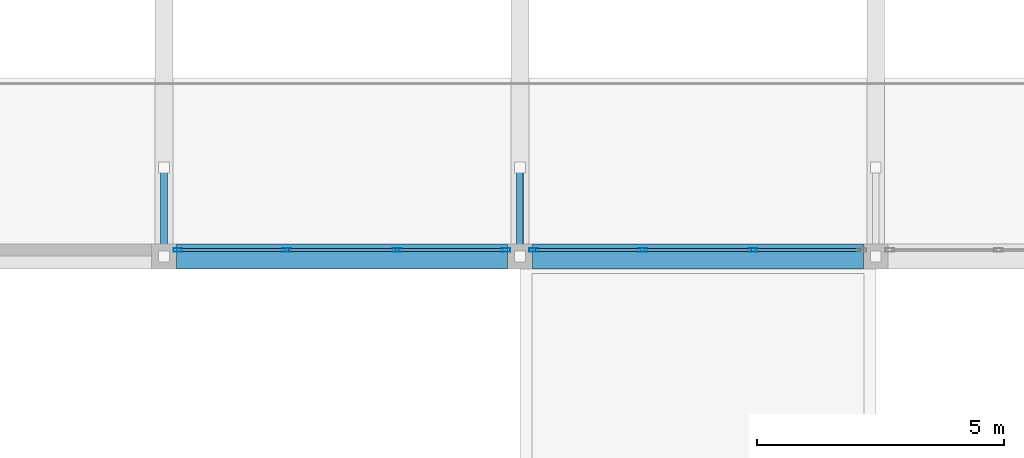
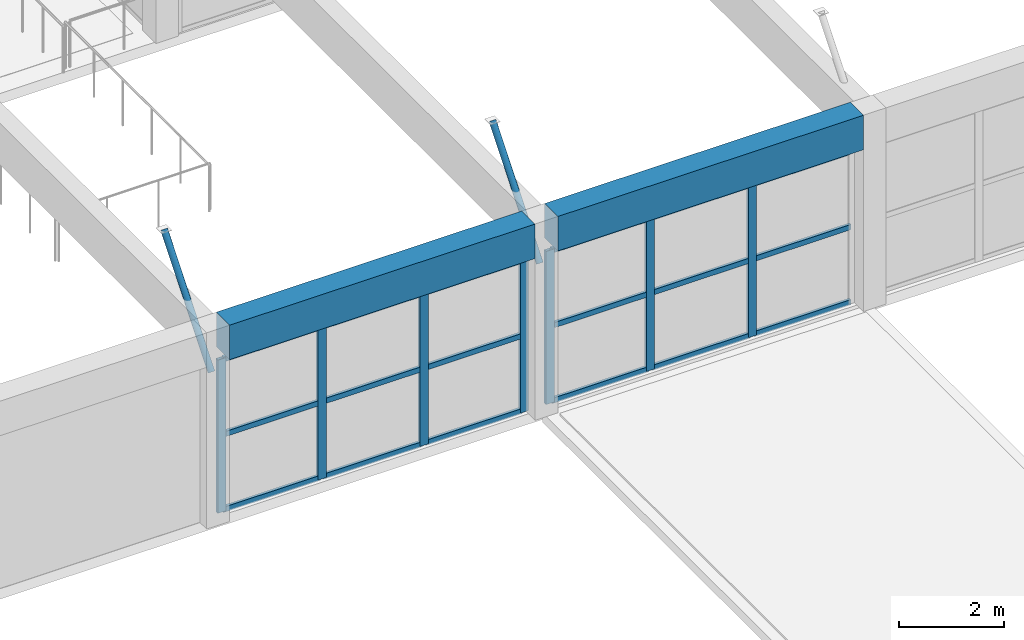
# One storey, part 22 of 153: 27 members, 2 beams, 2 elements without a shape of their own.
"""IFC4 building model written with IfcOpenShell, lengths in metres."""

from ifc_helpers import new_model, si_unit, direction, frame, origin, origin_2d, place, context, subcontext, project, spatial, rectangle, hollow_rectangle, hollow_circle, extrude, material, material_profile, profile_set, type_object, element, aggregate, save


model = new_model("IFC4")

# Units and contexts
model_context = context("Model", 3, precision=1e-05, world=origin(), true_north=direction((0.0, 1.0)))
body_context = subcontext(model_context, "Body", "Model", "MODEL_VIEW")
ifc_project = project(units=[si_unit("LENGTHUNIT", "METRE"), si_unit("AREAUNIT", "SQUARE_METRE"), si_unit("VOLUMEUNIT", "CUBIC_METRE"), si_unit("PLANEANGLEUNIT", "RADIAN"), si_unit("MASSUNIT", "GRAM", prefix="KILO")], contexts=[model_context])

# Site, building, storey
site_placement = place(None, origin())
site = spatial("IfcSite", under=ifc_project, at=site_placement, CompositionType="ELEMENT")
building_placement = place(site_placement, origin())
building = spatial("IfcBuilding", under=site, at=building_placement, Name="Bramvelor Terrace Health Centre", CompositionType="ELEMENT")
storey_placement = place(building_placement, frame((0.0, 0.0, 4.800048828125)))
storey = spatial("IfcBuildingStorey", under=building, at=storey_placement, Name="L02", CompositionType="ELEMENT", Elevation=4.800048828125)

# Beams
ifc_material_1 = material(Name="Concrete C40/50", Category="concrete")
ifc_material_profile_1 = material_profile(ifc_material_1, rectangle(XDim=0.5, YDim=0.800048828125, at=origin_2d()), Name="RC 500x800")
ifc_profile_set_1 = profile_set([ifc_material_profile_1], Name="Concrete C40/50")
beam_type = type_object("IfcBeamType", Name="BM-RC-G800", PredefinedType="BEAM", material=ifc_profile_set_1)
beam_1_placement = place(storey_placement, frame((50.64990234375, 36.0, 4.14990234375), z_axis=(1.0, 0.0, 0.0), x_axis=(0.0, 1.0, 0.0)))
element("IfcBeam", 1, at=beam_1_placement, inside=storey, type_object=beam_type, Name="L02 Floor Girder", PredefinedType="BEAM", context=body_context, shape_type="SweptSolid", body=[
    extrude(rectangle(XDim=0.5, YDim=0.800048828125, at=origin_2d()), origin(), (0.0, 0.0, 1.0), 6.7001953125),
])
beam_2_placement = place(storey_placement, frame((57.85009765625, 36.0, 4.14990234375), z_axis=(1.0, 0.0, 0.0), x_axis=(0.0, 1.0, 0.0)))
element("IfcBeam", 2, at=beam_2_placement, inside=storey, type_object=beam_type, Name="L02 Floor Girder", PredefinedType="BEAM", context=body_context, shape_type="SweptSolid", body=[
    extrude(rectangle(XDim=0.5, YDim=0.800048828125, at=origin_2d()), origin(), (0.0, 0.0, 1.0), 6.699951171875),
])

# Curtain wall, members
ifc_material_2 = material(Name="Anodized aluminium and double low-E glass", Category="aluminium")
curtain_wall_type = type_object("IfcCurtainWallType", Name="CW-SYS-20", PredefinedType="NOTDEFINED", material=ifc_material_2)
curtain_wall_1_placement = place(storey_placement, origin())
curtain_wall_1 = element("IfcCurtainWall", 3, at=curtain_wall_1_placement, inside=storey, type_object=curtain_wall_type, Name="L02 Unitized Curtain Wall 121", PredefinedType="NOTDEFINED")
ifc_material_3 = material(Name="Anodized aluminium 6063-T6", Category="aluminium")
ifc_material_profile_2 = material_profile(ifc_material_3, hollow_rectangle(XDim=0.074951171875, YDim=0.179931640625, WallThickness=0.00341796875, at=origin_2d()), Name="ALU-MUL 75x180x3.5")
ifc_profile_set_2 = profile_set([ifc_material_profile_2], Name="Anodized aluminium 6063-T6")
member_type_1 = type_object("IfcMemberType", Name="CW-MUL-65x180", PredefinedType="MULLION", material=ifc_profile_set_2)
member_1_placement = place(storey_placement, frame((62.318359375, 36.1298828125, 0.0), z_axis=(0.0, 0.0, 1.0), x_axis=(0.0, -1.0, 0.0)))
member_1 = element("IfcMember", 4, at=member_1_placement, type_object=member_type_1, Name="CW-20 mullion 2", PredefinedType="MULLION", context=body_context, shape_type="SweptSolid", body=[
    extrude(hollow_rectangle(XDim=0.074951171875, YDim=0.179931640625, WallThickness=0.00341796875, at=origin_2d()), origin(), (0.0, 0.0, 1.0), 3.550048828125),
])
member_2_placement = place(storey_placement, frame((60.081787109375, 36.1298828125, 0.0), z_axis=(0.0, 0.0, 1.0), x_axis=(0.0, -1.0, 0.0)))
member_2 = element("IfcMember", 5, at=member_2_placement, type_object=member_type_1, Name="CW-20 mullion 3", PredefinedType="MULLION", context=body_context, shape_type="SweptSolid", body=[
    extrude(hollow_rectangle(XDim=0.074951171875, YDim=0.179931640625, WallThickness=0.00341796875, at=origin_2d()), origin(), (0.0, 0.0, 1.0), 3.550048828125),
])
member_3_placement = place(storey_placement, frame((57.882568359375, 36.1298828125, 0.0), z_axis=(0.0, 0.0, 1.0), x_axis=(0.0, -1.0, 0.0)))
member_3 = element("IfcMember", 6, at=member_3_placement, type_object=member_type_1, Name="CW-20 mullion 4", PredefinedType="MULLION", context=body_context, shape_type="SweptSolid", body=[
    extrude(hollow_rectangle(XDim=0.074951171875, YDim=0.179931640625, WallThickness=0.00341796875, at=origin_2d()), origin(), (0.0, 0.0, 1.0), 3.550048828125),
])

curtain_wall_2_placement = place(storey_placement, origin())
curtain_wall_2 = element("IfcCurtainWall", 7, at=curtain_wall_2_placement, inside=storey, type_object=curtain_wall_type, Name="L02 Unitized Curtain Wall 122", PredefinedType="NOTDEFINED")
member_4_placement = place(storey_placement, frame((57.3173828125, 36.1298828125, 0.0), z_axis=(0.0, 0.0, 1.0), x_axis=(0.0, -1.0, 0.0)))
member_4 = element("IfcMember", 8, at=member_4_placement, type_object=member_type_1, Name="CW-20 mullion 1", PredefinedType="MULLION", context=body_context, shape_type="SweptSolid", body=[
    extrude(hollow_rectangle(XDim=0.074951171875, YDim=0.179931640625, WallThickness=0.00341796875, at=origin_2d()), origin(), (0.0, 0.0, 1.0), 3.550048828125),
])
member_5_placement = place(storey_placement, frame((55.118408203125, 36.1298828125, 0.0), z_axis=(0.0, 0.0, 1.0), x_axis=(0.0, -1.0, 0.0)))
member_5 = element("IfcMember", 9, at=member_5_placement, type_object=member_type_1, Name="CW-20 mullion 2", PredefinedType="MULLION", context=body_context, shape_type="SweptSolid", body=[
    extrude(hollow_rectangle(XDim=0.074951171875, YDim=0.179931640625, WallThickness=0.00341796875, at=origin_2d()), origin(), (0.0, 0.0, 1.0), 3.550048828125),
])
member_6_placement = place(storey_placement, frame((52.881591796875, 36.1298828125, 0.0), z_axis=(0.0, 0.0, 1.0), x_axis=(0.0, -1.0, 0.0)))
member_6 = element("IfcMember", 10, at=member_6_placement, type_object=member_type_1, Name="CW-20 mullion 3", PredefinedType="MULLION", context=body_context, shape_type="SweptSolid", body=[
    extrude(hollow_rectangle(XDim=0.074951171875, YDim=0.179931640625, WallThickness=0.00341796875, at=origin_2d()), origin(), (0.0, 0.0, 1.0), 3.550048828125),
])
member_7_placement = place(storey_placement, frame((50.6826171875, 36.1298828125, 0.0), z_axis=(0.0, 0.0, 1.0), x_axis=(0.0, -1.0, 0.0)))
member_7 = element("IfcMember", 11, at=member_7_placement, type_object=member_type_1, Name="CW-20 mullion 4", PredefinedType="MULLION", context=body_context, shape_type="SweptSolid", body=[
    extrude(hollow_rectangle(XDim=0.074951171875, YDim=0.179931640625, WallThickness=0.00341796875, at=origin_2d()), origin(), (0.0, 0.0, 1.0), 3.550048828125),
])

# Member
ifc_material_4 = material(Name="Anodized aluminium 6063-T6", Category="aluminium")
ifc_material_profile_3 = material_profile(ifc_material_4, hollow_rectangle(XDim=0.06494140625, YDim=0.1201171875, WallThickness=0.0029296875, at=origin_2d()), Name="ALU-TRN 65x120x3.0")
ifc_profile_set_3 = profile_set([ifc_material_profile_3], Name="Anodized aluminium 6063-T6")
member_type_2 = type_object("IfcMemberType", Name="CW-TRN-65x150", PredefinedType="USERDEFINED", material=ifc_profile_set_3)
member_8_placement = place(storey_placement, frame((64.47998046875, 36.1298828125, 0.032470703125), z_axis=(-1.0, 0.0, 0.0), x_axis=(0.0, -1.0, 0.0)))
member_8 = element("IfcMember", 12, at=member_8_placement, type_object=member_type_2, Name="CW-20 transom 1.1", ObjectType="TRANSOM", PredefinedType="USERDEFINED", context=body_context, shape_type="SweptSolid", body=[
    extrude(hollow_rectangle(XDim=0.06494140625, YDim=0.1201171875, WallThickness=0.0029296875, at=origin_2d()), origin(), (0.0, 0.0, 1.0), 2.124267578125),
])

member_9_placement = place(storey_placement, frame((64.47998046875, 36.1298828125, 1.77490234375), z_axis=(-1.0, 0.0, 0.0), x_axis=(0.0, -1.0, 0.0)))
member_9 = element("IfcMember", 13, at=member_9_placement, type_object=member_type_2, Name="CW-20 transom 1.2", ObjectType="TRANSOM", PredefinedType="USERDEFINED", context=body_context, shape_type="SweptSolid", body=[
    extrude(hollow_rectangle(XDim=0.06494140625, YDim=0.1201171875, WallThickness=0.0029296875, at=origin_2d()), origin(), (0.0, 0.0, 1.0), 2.124267578125),
])

member_10_placement = place(storey_placement, frame((64.47998046875, 36.1298828125, 3.517333984375), z_axis=(-1.0, 0.0, 0.0), x_axis=(0.0, -1.0, 0.0)))
member_10 = element("IfcMember", 14, at=member_10_placement, type_object=member_type_2, Name="CW-20 transom 1.3", ObjectType="TRANSOM", PredefinedType="USERDEFINED", context=body_context, shape_type="SweptSolid", body=[
    extrude(hollow_rectangle(XDim=0.06494140625, YDim=0.1201171875, WallThickness=0.0029296875, at=origin_2d()), origin(), (0.0, 0.0, 1.0), 2.124267578125),
])

member_11_placement = place(storey_placement, frame((62.28076171875, 36.1298828125, 0.032470703125), z_axis=(-1.0, 0.0, 0.0), x_axis=(0.0, -1.0, 0.0)))
member_11 = element("IfcMember", 15, at=member_11_placement, type_object=member_type_2, Name="CW-20 transom 2.1", ObjectType="TRANSOM", PredefinedType="USERDEFINED", context=body_context, shape_type="SweptSolid", body=[
    extrude(hollow_rectangle(XDim=0.06494140625, YDim=0.1201171875, WallThickness=0.0029296875, at=origin_2d()), origin(), (0.0, 0.0, 1.0), 2.16162109375),
])

member_12_placement = place(storey_placement, frame((62.28076171875, 36.1298828125, 1.77490234375), z_axis=(-1.0, 0.0, 0.0), x_axis=(0.0, -1.0, 0.0)))
member_12 = element("IfcMember", 16, at=member_12_placement, type_object=member_type_2, Name="CW-20 transom 2.2", ObjectType="TRANSOM", PredefinedType="USERDEFINED", context=body_context, shape_type="SweptSolid", body=[
    extrude(hollow_rectangle(XDim=0.06494140625, YDim=0.1201171875, WallThickness=0.0029296875, at=origin_2d()), origin(), (0.0, 0.0, 1.0), 2.16162109375),
])

member_13_placement = place(storey_placement, frame((62.28076171875, 36.1298828125, 3.517333984375), z_axis=(-1.0, 0.0, 0.0), x_axis=(0.0, -1.0, 0.0)))
member_13 = element("IfcMember", 17, at=member_13_placement, type_object=member_type_2, Name="CW-20 transom 2.3", ObjectType="TRANSOM", PredefinedType="USERDEFINED", context=body_context, shape_type="SweptSolid", body=[
    extrude(hollow_rectangle(XDim=0.06494140625, YDim=0.1201171875, WallThickness=0.0029296875, at=origin_2d()), origin(), (0.0, 0.0, 1.0), 2.16162109375),
])

member_14_placement = place(storey_placement, frame((60.044189453125, 36.1298828125, 0.032470703125), z_axis=(-1.0, 0.0, 0.0), x_axis=(0.0, -1.0, 0.0)))
member_14 = element("IfcMember", 18, at=member_14_placement, type_object=member_type_2, Name="CW-20 transom 3.1", ObjectType="TRANSOM", PredefinedType="USERDEFINED", context=body_context, shape_type="SweptSolid", body=[
    extrude(hollow_rectangle(XDim=0.06494140625, YDim=0.1201171875, WallThickness=0.0029296875, at=origin_2d()), origin(), (0.0, 0.0, 1.0), 2.124267578125),
])

member_15_placement = place(storey_placement, frame((60.044189453125, 36.1298828125, 1.77490234375), z_axis=(-1.0, 0.0, 0.0), x_axis=(0.0, -1.0, 0.0)))
member_15 = element("IfcMember", 19, at=member_15_placement, type_object=member_type_2, Name="CW-20 transom 3.2", ObjectType="TRANSOM", PredefinedType="USERDEFINED", context=body_context, shape_type="SweptSolid", body=[
    extrude(hollow_rectangle(XDim=0.06494140625, YDim=0.1201171875, WallThickness=0.0029296875, at=origin_2d()), origin(), (0.0, 0.0, 1.0), 2.124267578125),
])

member_16_placement = place(storey_placement, frame((60.044189453125, 36.1298828125, 3.517333984375), z_axis=(-1.0, 0.0, 0.0), x_axis=(0.0, -1.0, 0.0)))
member_16 = element("IfcMember", 20, at=member_16_placement, type_object=member_type_2, Name="CW-20 transom 3.3", ObjectType="TRANSOM", PredefinedType="USERDEFINED", context=body_context, shape_type="SweptSolid", body=[
    extrude(hollow_rectangle(XDim=0.06494140625, YDim=0.1201171875, WallThickness=0.0029296875, at=origin_2d()), origin(), (0.0, 0.0, 1.0), 2.124267578125),
])

aggregate(curtain_wall_1, [member_1, member_2, member_3, member_8, member_9, member_10, member_11, member_12, member_13, member_14, member_15, member_16])

member_17_placement = place(storey_placement, frame((57.280029296875, 36.1298828125, 0.032470703125), z_axis=(-1.0, 0.0, 0.0), x_axis=(0.0, -1.0, 0.0)))
member_17 = element("IfcMember", 21, at=member_17_placement, type_object=member_type_2, Name="CW-20 transom 1.1", ObjectType="TRANSOM", PredefinedType="USERDEFINED", context=body_context, shape_type="SweptSolid", body=[
    extrude(hollow_rectangle(XDim=0.06494140625, YDim=0.1201171875, WallThickness=0.0029296875, at=origin_2d()), origin(), (0.0, 0.0, 1.0), 2.124267578125),
])

member_18_placement = place(storey_placement, frame((57.280029296875, 36.1298828125, 1.77490234375), z_axis=(-1.0, 0.0, 0.0), x_axis=(0.0, -1.0, 0.0)))
member_18 = element("IfcMember", 22, at=member_18_placement, type_object=member_type_2, Name="CW-20 transom 1.2", ObjectType="TRANSOM", PredefinedType="USERDEFINED", context=body_context, shape_type="SweptSolid", body=[
    extrude(hollow_rectangle(XDim=0.06494140625, YDim=0.1201171875, WallThickness=0.0029296875, at=origin_2d()), origin(), (0.0, 0.0, 1.0), 2.124267578125),
])

member_19_placement = place(storey_placement, frame((57.280029296875, 36.1298828125, 3.517333984375), z_axis=(-1.0, 0.0, 0.0), x_axis=(0.0, -1.0, 0.0)))
member_19 = element("IfcMember", 23, at=member_19_placement, type_object=member_type_2, Name="CW-20 transom 1.3", ObjectType="TRANSOM", PredefinedType="USERDEFINED", context=body_context, shape_type="SweptSolid", body=[
    extrude(hollow_rectangle(XDim=0.06494140625, YDim=0.1201171875, WallThickness=0.0029296875, at=origin_2d()), origin(), (0.0, 0.0, 1.0), 2.124267578125),
])

member_20_placement = place(storey_placement, frame((55.080810546875, 36.1298828125, 0.032470703125), z_axis=(-1.0, 0.0, 0.0), x_axis=(0.0, -1.0, 0.0)))
member_20 = element("IfcMember", 24, at=member_20_placement, type_object=member_type_2, Name="CW-20 transom 2.1", ObjectType="TRANSOM", PredefinedType="USERDEFINED", context=body_context, shape_type="SweptSolid", body=[
    extrude(hollow_rectangle(XDim=0.06494140625, YDim=0.1201171875, WallThickness=0.0029296875, at=origin_2d()), origin(), (0.0, 0.0, 1.0), 2.16162109375),
])

member_21_placement = place(storey_placement, frame((55.080810546875, 36.1298828125, 1.77490234375), z_axis=(-1.0, 0.0, 0.0), x_axis=(0.0, -1.0, 0.0)))
member_21 = element("IfcMember", 25, at=member_21_placement, type_object=member_type_2, Name="CW-20 transom 2.2", ObjectType="TRANSOM", PredefinedType="USERDEFINED", context=body_context, shape_type="SweptSolid", body=[
    extrude(hollow_rectangle(XDim=0.06494140625, YDim=0.1201171875, WallThickness=0.0029296875, at=origin_2d()), origin(), (0.0, 0.0, 1.0), 2.16162109375),
])

member_22_placement = place(storey_placement, frame((55.080810546875, 36.1298828125, 3.517333984375), z_axis=(-1.0, 0.0, 0.0), x_axis=(0.0, -1.0, 0.0)))
member_22 = element("IfcMember", 26, at=member_22_placement, type_object=member_type_2, Name="CW-20 transom 2.3", ObjectType="TRANSOM", PredefinedType="USERDEFINED", context=body_context, shape_type="SweptSolid", body=[
    extrude(hollow_rectangle(XDim=0.06494140625, YDim=0.1201171875, WallThickness=0.0029296875, at=origin_2d()), origin(), (0.0, 0.0, 1.0), 2.16162109375),
])

member_23_placement = place(storey_placement, frame((52.84423828125, 36.1298828125, 0.032470703125), z_axis=(-1.0, 0.0, 0.0), x_axis=(0.0, -1.0, 0.0)))
member_23 = element("IfcMember", 27, at=member_23_placement, type_object=member_type_2, Name="CW-20 transom 3.1", ObjectType="TRANSOM", PredefinedType="USERDEFINED", context=body_context, shape_type="SweptSolid", body=[
    extrude(hollow_rectangle(XDim=0.06494140625, YDim=0.1201171875, WallThickness=0.0029296875, at=origin_2d()), origin(), (0.0, 0.0, 1.0), 2.124267578125),
])

member_24_placement = place(storey_placement, frame((52.84423828125, 36.1298828125, 1.77490234375), z_axis=(-1.0, 0.0, 0.0), x_axis=(0.0, -1.0, 0.0)))
member_24 = element("IfcMember", 28, at=member_24_placement, type_object=member_type_2, Name="CW-20 transom 3.2", ObjectType="TRANSOM", PredefinedType="USERDEFINED", context=body_context, shape_type="SweptSolid", body=[
    extrude(hollow_rectangle(XDim=0.06494140625, YDim=0.1201171875, WallThickness=0.0029296875, at=origin_2d()), origin(), (0.0, 0.0, 1.0), 2.124267578125),
])

member_25_placement = place(storey_placement, frame((52.84423828125, 36.1298828125, 3.517333984375), z_axis=(-1.0, 0.0, 0.0), x_axis=(0.0, -1.0, 0.0)))
member_25 = element("IfcMember", 29, at=member_25_placement, type_object=member_type_2, Name="CW-20 transom 3.3", ObjectType="TRANSOM", PredefinedType="USERDEFINED", context=body_context, shape_type="SweptSolid", body=[
    extrude(hollow_rectangle(XDim=0.06494140625, YDim=0.1201171875, WallThickness=0.0029296875, at=origin_2d()), origin(), (0.0, 0.0, 1.0), 2.124267578125),
])

aggregate(curtain_wall_2, [member_4, member_5, member_6, member_7, member_17, member_18, member_19, member_20, member_21, member_22, member_23, member_24, member_25])

# Members
ifc_material_5 = material(Name="Steel S355J2", Category="steel")
ifc_material_profile_4 = material_profile(ifc_material_5, hollow_circle(Radius=0.06982421875, WallThickness=0.0048828125, at=origin_2d()), Name="CHS 139.7x5.0")
ifc_profile_set_4 = profile_set([ifc_material_profile_4], Name="Steel S355J2")
member_type_3 = type_object("IfcMemberType", Name="MEM-STL-CHS139", PredefinedType="STRUT", material=ifc_profile_set_4)
for number, where, z_axis, x_axis, name in (
    (30, (50.39990234375, 36.0, 3.39990234375), (0.0, 0.62952484871, 0.776980350367), (-1.0, 0.0, 0.0), "Waiting Hall Storm-Eave Knee Strut S2"),
    (31, (57.60009765625, 36.0, 3.39990234375), (0.0, 0.62952484871, 0.776980350367), (-1.0, 0.0, 0.0), "Waiting Hall Storm-Eave Knee Strut S3"),
):
    element("IfcMember", number, at=place(storey_placement, frame(where, z_axis=z_axis, x_axis=x_axis)), inside=storey, type_object=member_type_3, Name=name, PredefinedType="STRUT", context=body_context, shape_type="SweptSolid", body=[
        extrude(hollow_circle(Radius=0.06982421875, WallThickness=0.0048828125, at=origin_2d()), origin(), (0.0, 0.0, 1.0), 2.859375),
    ])

save(model, "model.ifc")
